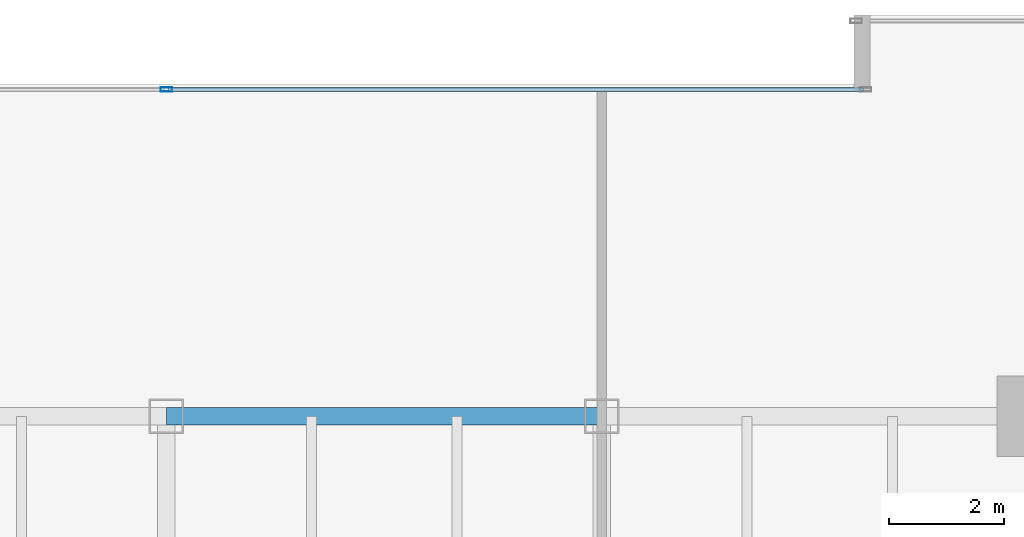
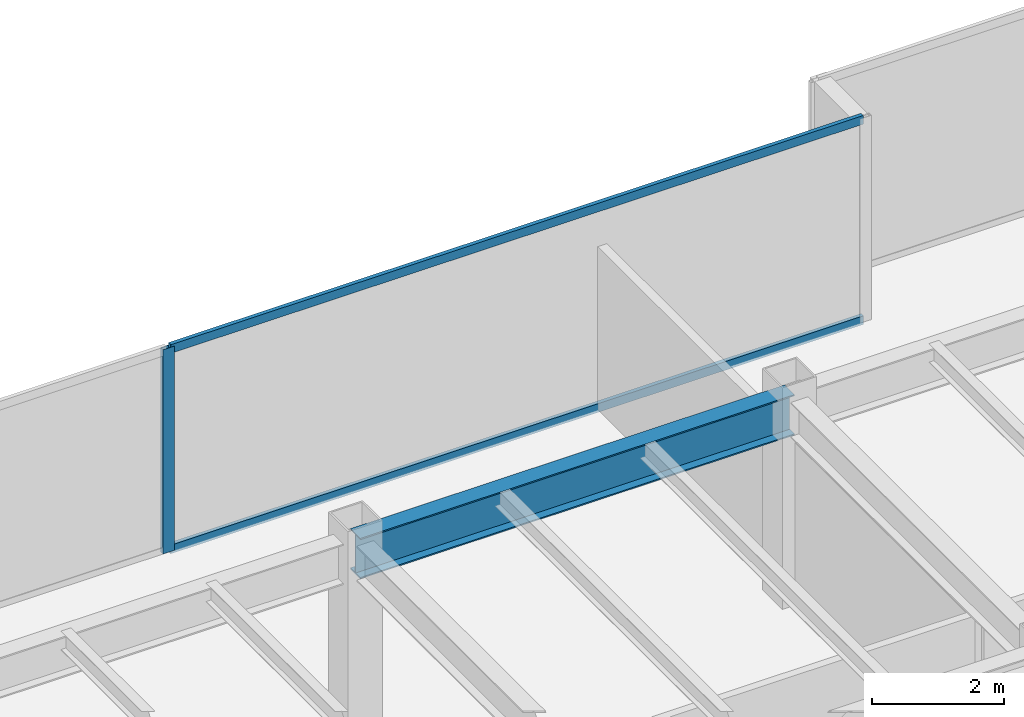
# One storey, part 18 of 35: 3 members, 1 beam, 1 element without a shape of its own.
"""IFC4 building model written with IfcOpenShell, lengths in metres."""

from ifc_helpers import new_model, si_unit, direction, frame, origin, origin_2d, place, context, subcontext, project, spatial, hollow_rectangle, i_section, extrude, source, transform, mapped, material, layer, layer_set, material_profile, profile_set, type_object, type_shapes, element, aggregate, save


model = new_model("IFC4")

# Units and contexts
model_context = context("Model", 3, precision=1e-05, world=origin(), true_north=direction((0.0, 1.0)))
body_context = subcontext(model_context, "Body", "Model", "MODEL_VIEW")
ifc_project = project(units=[si_unit("LENGTHUNIT", "METRE"), si_unit("AREAUNIT", "SQUARE_METRE"), si_unit("VOLUMEUNIT", "CUBIC_METRE"), si_unit("PLANEANGLEUNIT", "RADIAN"), si_unit("MASSUNIT", "GRAM", prefix="KILO")], contexts=[model_context])

# Site, building, storey
site_placement = place(None, origin())
site = spatial("IfcSite", under=ifc_project, at=site_placement, CompositionType="ELEMENT")
building_placement = place(site_placement, origin())
building = spatial("IfcBuilding", under=site, at=building_placement, Name="Haelvirn Gate Laboratories", CompositionType="ELEMENT")
storey_placement = place(building_placement, frame((0.0, 0.0, 70.300048828125)))
storey = spatial("IfcBuildingStorey", under=building, at=storey_placement, Name="L17", CompositionType="ELEMENT", Elevation=70.300048828125)

# Beam
ifc_material_1 = material(Name="Steel SM355", Category="steel")
ifc_material_profile_1 = material_profile(ifc_material_1, i_section(OverallWidth=0.300048828125, OverallDepth=0.75, WebThickness=0.013916015625, FlangeThickness=0.02392578125, at=origin_2d()), Name="H-750x300x14x24")
ifc_profile_set_1 = profile_set([ifc_material_profile_1], Name="Steel SM355")
beam_type = type_object("IfcBeamType", Name="BM-G-750", PredefinedType="BEAM", material=ifc_profile_set_1)
shared_shape_1 = source(origin(), body_context, "Body", "SweptSolid", [
    extrude(i_section(OverallWidth=0.300048828125, OverallDepth=0.75, WebThickness=0.013916015625, FlangeThickness=0.02392578125, at=origin_2d()), origin(), (0.0, 0.0, 1.0), 7.60009765625),
])
type_shapes(beam_type, [shared_shape_1])
beam_placement = place(storey_placement, frame((37.39990234375, 41.60009765625, 3.405029296875), z_axis=(1.0, 0.0, 0.0), x_axis=(0.0, 1.0, 0.0)))
element("IfcBeam", 1, at=beam_placement, inside=storey, type_object=beam_type, Name="L17 Primary Girder Y41.6 (37.4-45.0)", PredefinedType="BEAM", context=body_context, shape_type="MappedRepresentation", body=[
    mapped(shared_shape_1, transform((0.0, 0.0, 0.0), scale=1.0)),
])

# Curtain wall, members
ifc_material_2 = material(Name="Anodised bronze unitised aluminium & triple low-E glass", Category="aluminium")
ifc_layer = layer(ifc_material_2, 0.18408203125, Name="CW-SYS-2")
ifc_layer_set = layer_set([ifc_layer], Name="Anodised bronze unitised aluminium & triple low-E glass")
curtain_wall_type = type_object("IfcCurtainWallType", Name="CW-SYS-2", PredefinedType="NOTDEFINED", material=ifc_layer_set)
curtain_wall_placement = place(storey_placement, origin())
curtain_wall = element("IfcCurtainWall", 2, at=curtain_wall_placement, inside=storey, type_object=curtain_wall_type, Name="L17 Unitised Curtain Wall CW-L17-P0-E12-1", PredefinedType="NOTDEFINED")
ifc_material_3 = material(Name="Extruded aluminium 6063-T6 (anodised bronze)", Category="aluminium")
ifc_material_profile_2 = material_profile(ifc_material_3, hollow_rectangle(XDim=0.074951171875, YDim=0.199951171875, WallThickness=0.0048828125, at=origin_2d()), Name="CWM-200x75x5")
ifc_profile_set_2 = profile_set([ifc_material_profile_2], Name="Extruded aluminium 6063-T6 (anodised bronze)")
member_type_1 = type_object("IfcMemberType", Name="CWM-T200", PredefinedType="MULLION", material=ifc_profile_set_2)
shared_shape_2 = source(origin(), body_context, "Body", "SweptSolid", [
    extrude(hollow_rectangle(XDim=0.074951171875, YDim=0.199951171875, WallThickness=0.0048828125, at=origin_2d()), origin(), (0.0, 0.0, 1.0), 3.780029296875),
])
type_shapes(member_type_1, [shared_shape_2])
member_1_placement = place(storey_placement, frame((37.39990234375, 47.300048828125, 0.0), z_axis=(0.0, 0.0, 1.0), x_axis=(0.0, 1.0, 0.0)))
member_1 = element("IfcMember", 3, at=member_1_placement, type_object=member_type_1, Name="CW2 mullion 2", PredefinedType="MULLION", context=body_context, shape_type="MappedRepresentation", body=[
    mapped(shared_shape_2, transform((0.0, 0.0, 0.0), scale=1.0)),
])
ifc_material_profile_3 = material_profile(ifc_material_3, hollow_rectangle(XDim=0.070068359375, YDim=0.159912109375, WallThickness=0.0048828125, at=origin_2d()), Name="CWT-160x70x5")
ifc_profile_set_3 = profile_set([ifc_material_profile_3], Name="Extruded aluminium 6063-T6 (anodised bronze)")
member_type_2 = type_object("IfcMemberType", Name="CWT-T160", PredefinedType="USERDEFINED", material=ifc_profile_set_3)
shared_shape_3 = source(origin(), body_context, "Body", "SweptSolid", [
    extrude(hollow_rectangle(XDim=0.070068359375, YDim=0.159912109375, WallThickness=0.0048828125, at=origin_2d()), origin(), (0.0, 0.0, 1.0), 12.12744140625),
])
type_shapes(member_type_2, [shared_shape_3])
member_2_placement = place(storey_placement, frame((37.4375, 47.300048828125, 0.034912109375), z_axis=(1.0, 0.0, 0.0), x_axis=(0.0, 1.0, 0.0)))
member_2 = element("IfcMember", 4, at=member_2_placement, type_object=member_type_2, Name="CW2 transom 2.1", ObjectType="TRANSOM", PredefinedType="USERDEFINED", context=body_context, shape_type="MappedRepresentation", body=[
    mapped(shared_shape_3, transform((0.0, 0.0, 0.0), scale=1.0)),
])
member_3_placement = place(storey_placement, frame((37.4375, 47.300048828125, 3.744873046875), z_axis=(1.0, 0.0, 0.0), x_axis=(0.0, 1.0, 0.0)))
member_3 = element("IfcMember", 5, at=member_3_placement, type_object=member_type_2, Name="CW2 transom 2.2", ObjectType="TRANSOM", PredefinedType="USERDEFINED", context=body_context, shape_type="MappedRepresentation", body=[
    mapped(shared_shape_3, transform((0.0, 0.0, 0.0), scale=1.0)),
])
aggregate(curtain_wall, [member_1, member_2, member_3])

save(model, "model.ifc")
